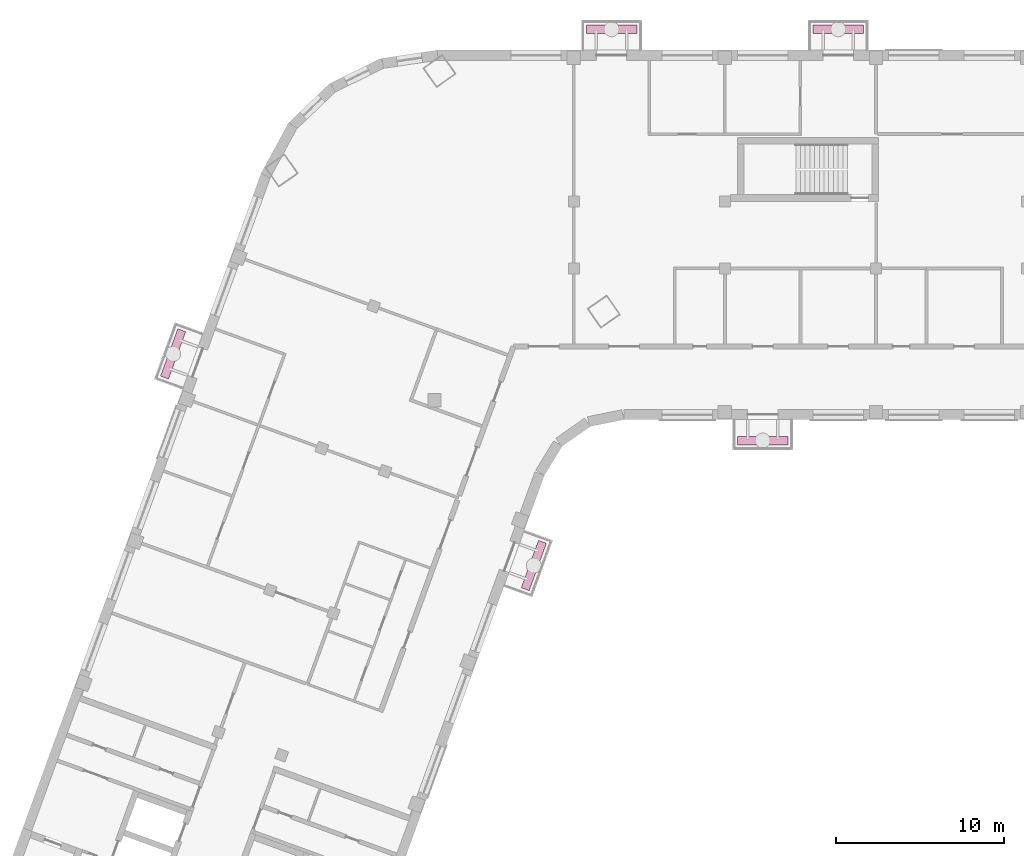
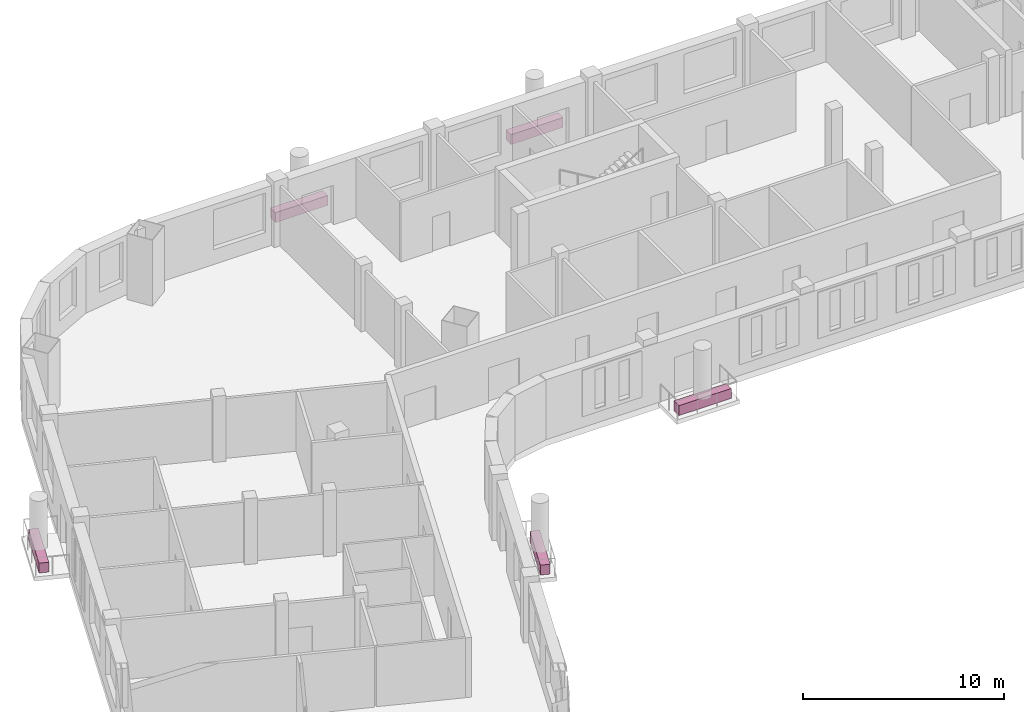
# One storey, part 9 of 10: 5 furniture elements.
"""IFC4 building model written with IfcOpenShell, lengths in metres."""

from ifc_helpers import new_model, si_unit, direction, frame, origin, origin_2d, place, context, subcontext, project, spatial, rectangle, extrude, element, save


model = new_model("IFC4")

# Units and contexts
model_context = context("Model", 3, precision=1e-05, world=origin(), true_north=direction((0.0, 1.0)))
body_context = subcontext(model_context, "Body", "Model", "MODEL_VIEW")
ifc_project = project(units=[si_unit("LENGTHUNIT", "METRE"), si_unit("AREAUNIT", "SQUARE_METRE"), si_unit("VOLUMEUNIT", "CUBIC_METRE"), si_unit("PLANEANGLEUNIT", "RADIAN"), si_unit("MASSUNIT", "GRAM", prefix="KILO")], contexts=[model_context])

# Site, building, storey
site_placement = place(None, origin())
site = spatial("IfcSite", under=ifc_project, at=site_placement, CompositionType="ELEMENT")
building_placement = place(site_placement, origin())
building = spatial("IfcBuilding", under=site, at=building_placement, Name="Skarvind Civic Tower", CompositionType="ELEMENT")
storey_placement = place(building_placement, frame((0.0, 0.0, 154.5)))
storey = spatial("IfcBuildingStorey", under=building, at=storey_placement, Name="L36", CompositionType="ELEMENT", Elevation=154.5)

# Furniture
for number, where, z_axis, x_axis, name in (
    (1, (51.867919921875, 108.305419921875, 0.0), (0.0, 0.0, 1.0), (-0.342020143326, -0.939692620786, 0.0), "TREE BALCONY PLANTER"),
    (2, (65.5, 115.75, 0.0), (0.0, 0.0, 1.0), (-1.0, 0.0, 0.0), "TREE BALCONY PLANTER"),
    (3, (56.5, 140.25, 0.0), (0.0, 0.0, 1.0), (1.0, 0.0, 0.0), "TREE BALCONY PLANTER"),
    (4, (70.0, 140.25, 0.0), (0.0, 0.0, 1.0), (1.0, 0.0, 0.0), "TREE BALCONY PLANTER"),
    (5, (30.384521484375, 120.91357421875, 0.0), (0.0, 0.0, 1.0), (0.342020143326, 0.939692620786, 0.0), "TREE BALCONY PLANTER"),
):
    element("IfcFurniture", number, at=place(storey_placement, frame(where, z_axis=z_axis, x_axis=x_axis)), inside=storey, Name=name, ObjectType="PLANTER", PredefinedType="USERDEFINED", context=body_context, shape_type="SweptSolid", body=[
        extrude(rectangle(XDim=3.0, YDim=0.5, at=origin_2d()), origin(), (0.0, 0.0, 1.0), 0.60009765625),
    ])

save(model, "model.ifc")
